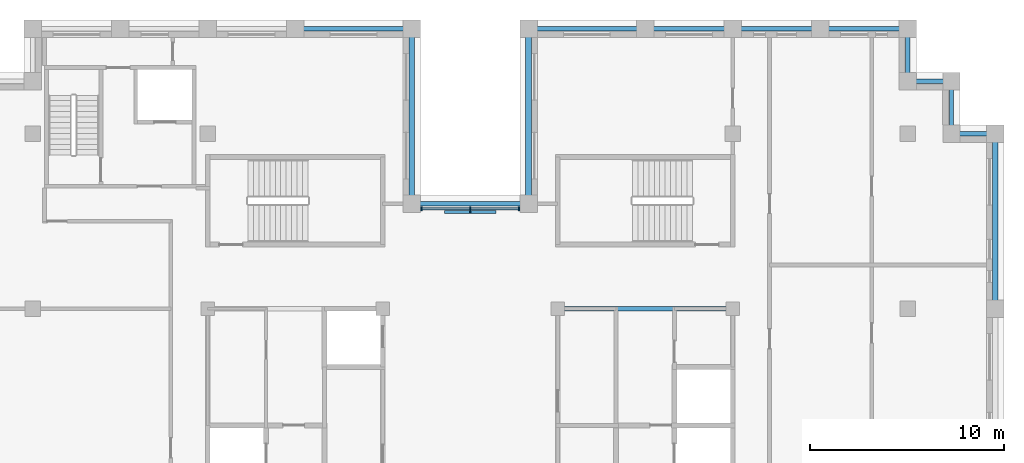
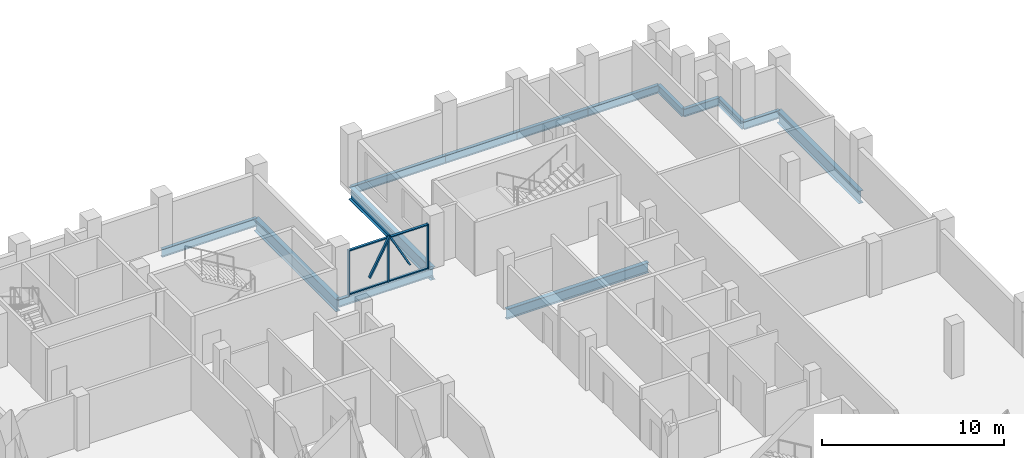
# One storey, part 4 of 13: 14 beams, 9 members, 1 element without a shape of its own.
"""IFC4 building model written with IfcOpenShell, lengths in metres."""

from ifc_helpers import new_model, si_unit, direction, frame, origin, origin_2d, place, context, subcontext, project, spatial, rectangle, i_section, extrude, material, layer, layer_set, material_profile, profile_set, type_object, element, aggregate, save


model = new_model("IFC4")

# Units and contexts
model_context = context("Model", 3, precision=1e-05, world=origin(), true_north=direction((0.0, 1.0)))
body_context = subcontext(model_context, "Body", "Model", "MODEL_VIEW")
ifc_project = project(units=[si_unit("LENGTHUNIT", "METRE"), si_unit("AREAUNIT", "SQUARE_METRE"), si_unit("VOLUMEUNIT", "CUBIC_METRE"), si_unit("PLANEANGLEUNIT", "RADIAN"), si_unit("MASSUNIT", "GRAM", prefix="KILO")], contexts=[model_context])

# Site, building, storey
site_placement = place(None, origin())
site = spatial("IfcSite", under=ifc_project, at=site_placement, CompositionType="ELEMENT")
building_placement = place(site_placement, origin())
building = spatial("IfcBuilding", under=site, at=building_placement, Name="Corbelhall Arena Tower", CompositionType="ELEMENT")
storey_placement = place(building_placement, frame((0.0, 0.0, 316.0)))
storey = spatial("IfcBuildingStorey", under=building, at=storey_placement, Name="L69", CompositionType="ELEMENT", Elevation=316.0)

# Curtain wall, members
ifc_material_1 = material(Name="Aluminium black anodised", Category="aluminium")
ifc_layer = layer(ifc_material_1, 0.199951171875)
ifc_layer_set = layer_set([ifc_layer], Name="EV-CW1 Slot back wall")
curtain_wall_type = type_object("IfcCurtainWallType", Name="EV-CW1 Slot back wall", PredefinedType="NOTDEFINED", material=ifc_layer_set)
curtain_wall_placement = place(storey_placement, origin())
curtain_wall = element("IfcCurtainWall", 1, at=curtain_wall_placement, inside=storey, type_object=curtain_wall_type, Name="Curtain wall CW1", PredefinedType="NOTDEFINED")
ifc_material_profile_1 = material_profile(ifc_material_1, rectangle(XDim=0.199951171875, YDim=0.074951171875, at=origin_2d()))
ifc_profile_set_1 = profile_set([ifc_material_profile_1], Name="Aluminium black anodised")
member_type_1 = type_object("IfcMemberType", Name="EV-CW1-MULLION", PredefinedType="MULLION", material=ifc_profile_set_1)
member_1_placement = place(storey_placement, frame((2.512451171875, 14.14990234375, 0.0), z_axis=(0.0, 0.0, 1.0), x_axis=(0.0, -1.0, 0.0)))
member_1 = element("IfcMember", 2, at=member_1_placement, type_object=member_type_1, Name="CW1 mullion 1", PredefinedType="MULLION", context=body_context, shape_type="SweptSolid", body=[
    extrude(rectangle(XDim=0.199951171875, YDim=0.074951171875, at=origin_2d()), origin(), (0.0, 0.0, 1.0), 2.989990234375),
])
member_2_placement = place(storey_placement, frame((0.0, 14.14990234375, 0.0), z_axis=(0.0, 0.0, 1.0), x_axis=(0.0, -1.0, 0.0)))
member_2 = element("IfcMember", 3, at=member_2_placement, type_object=member_type_1, Name="CW1 mullion 2", PredefinedType="MULLION", context=body_context, shape_type="SweptSolid", body=[
    extrude(rectangle(XDim=0.199951171875, YDim=0.074951171875, at=origin_2d()), origin(), (0.0, 0.0, 1.0), 2.989990234375),
])
member_3_placement = place(storey_placement, frame((-2.512451171875, 14.14990234375, 0.0), z_axis=(0.0, 0.0, 1.0), x_axis=(0.0, -1.0, 0.0)))
member_3 = element("IfcMember", 4, at=member_3_placement, type_object=member_type_1, Name="CW1 mullion 3", PredefinedType="MULLION", context=body_context, shape_type="SweptSolid", body=[
    extrude(rectangle(XDim=0.199951171875, YDim=0.074951171875, at=origin_2d()), origin(), (0.0, 0.0, 1.0), 2.989990234375),
])
ifc_material_profile_2 = material_profile(ifc_material_1, rectangle(XDim=0.14990234375, YDim=0.074951171875, at=origin_2d()))
ifc_profile_set_2 = profile_set([ifc_material_profile_2], Name="Aluminium black anodised")
member_type_2 = type_object("IfcMemberType", Name="EV-CW1-TRANSOM", PredefinedType="USERDEFINED", material=ifc_profile_set_2)
member_4_placement = place(storey_placement, frame((2.47509765625, 14.14990234375, 0.03759765625), z_axis=(-1.0, 0.0, 0.0), x_axis=(0.0, -1.0, 0.0)))
member_4 = element("IfcMember", 5, at=member_4_placement, type_object=member_type_2, Name="CW1 transom 1.1", ObjectType="transom", PredefinedType="USERDEFINED", context=body_context, shape_type="SweptSolid", body=[
    extrude(rectangle(XDim=0.14990234375, YDim=0.074951171875, at=origin_2d()), origin(), (0.0, 0.0, 1.0), 2.4375),
])
member_5_placement = place(storey_placement, frame((2.47509765625, 14.14990234375, 2.952392578125), z_axis=(-1.0, 0.0, 0.0), x_axis=(0.0, -1.0, 0.0)))
member_5 = element("IfcMember", 6, at=member_5_placement, type_object=member_type_2, Name="CW1 transom 1.2", ObjectType="transom", PredefinedType="USERDEFINED", context=body_context, shape_type="SweptSolid", body=[
    extrude(rectangle(XDim=0.14990234375, YDim=0.074951171875, at=origin_2d()), origin(), (0.0, 0.0, 1.0), 2.4375),
])
member_6_placement = place(storey_placement, frame((-0.03759765625, 14.14990234375, 0.03759765625), z_axis=(-1.0, 0.0, 0.0), x_axis=(0.0, -1.0, 0.0)))
member_6 = element("IfcMember", 7, at=member_6_placement, type_object=member_type_2, Name="CW1 transom 2.1", ObjectType="transom", PredefinedType="USERDEFINED", context=body_context, shape_type="SweptSolid", body=[
    extrude(rectangle(XDim=0.14990234375, YDim=0.074951171875, at=origin_2d()), origin(), (0.0, 0.0, 1.0), 2.4375),
])
member_7_placement = place(storey_placement, frame((-0.03759765625, 14.14990234375, 2.952392578125), z_axis=(-1.0, 0.0, 0.0), x_axis=(0.0, -1.0, 0.0)))
member_7 = element("IfcMember", 8, at=member_7_placement, type_object=member_type_2, Name="CW1 transom 2.2", ObjectType="transom", PredefinedType="USERDEFINED", context=body_context, shape_type="SweptSolid", body=[
    extrude(rectangle(XDim=0.14990234375, YDim=0.074951171875, at=origin_2d()), origin(), (0.0, 0.0, 1.0), 2.4375),
])
aggregate(curtain_wall, [member_1, member_2, member_3, member_4, member_5, member_6, member_7])

# Members
ifc_material_profile_3 = material_profile(ifc_material_1, rectangle(XDim=0.159912109375, YDim=0.10009765625, at=origin_2d()))
ifc_profile_set_3 = profile_set([ifc_material_profile_3], Name="Aluminium black anodised")
member_type_3 = type_object("IfcMemberType", Name="EV-TR1 Tracery bar", PredefinedType="USERDEFINED", material=ifc_profile_set_3)
for number, where, z_axis, x_axis, name in (
    (9, (1.27490234375, 13.969970703125, 0.807373046875), (-0.478030960994, 0.0, 0.878342985588), (0.0, -1.0, 0.0), "Tracery bar"),
    (10, (0.0, 13.969970703125, 3.14990234375), (-0.478030960994, 0.0, -0.878342985588), (0.0, -1.0, 0.0), "Tracery bar"),
):
    element("IfcMember", number, at=place(storey_placement, frame(where, z_axis=z_axis, x_axis=x_axis)), inside=storey, type_object=member_type_3, Name=name, ObjectType="TRACERY", PredefinedType="USERDEFINED", context=body_context, shape_type="SweptSolid", body=[
        extrude(rectangle(XDim=0.159912109375, YDim=0.10009765625, at=origin_2d()), origin(), (0.0, 0.0, 1.0), 2.6669921875),
    ])

# Beams
ifc_material_2 = material(Name="Steel ASTM A992 Gr50", Category="steel")
ifc_material_profile_4 = material_profile(ifc_material_2, i_section(OverallWidth=0.25390625, OverallDepth=0.67822265625, WebThickness=0.01171875, FlangeThickness=0.016357421875, at=origin_2d()))
ifc_profile_set_4 = profile_set([ifc_material_profile_4], Name="Steel ASTM A992 Gr50")
beam_type_1 = type_object("IfcBeamType", Name="ST-BEAM-W27x84", PredefinedType="BEAM", material=ifc_profile_set_4)
beam_1_placement = place(storey_placement, frame((4.5, 9.0, -0.59912109375), z_axis=(1.0, 0.0, 0.0), x_axis=(0.0, 1.0, 0.0)))
element("IfcBeam", 11, at=beam_1_placement, inside=storey, type_object=beam_type_1, Name="Beam CEE 12", PredefinedType="BEAM", context=body_context, shape_type="SweptSolid", body=[
    extrude(i_section(OverallWidth=0.25390625, OverallDepth=0.67822265625, WebThickness=0.01171875, FlangeThickness=0.016357421875, at=origin_2d()), origin(), (0.0, 0.0, 1.0), 9.0),
])
ifc_material_profile_5 = material_profile(ifc_material_2, i_section(OverallWidth=0.209228515625, OverallDepth=0.533447265625, WebThickness=0.01025390625, FlangeThickness=0.015625, at=origin_2d()))
ifc_profile_set_5 = profile_set([ifc_material_profile_5], Name="Steel ASTM A992 Gr50")
beam_type_2 = type_object("IfcBeamType", Name="ST-SPANDREL-W21x62", PredefinedType="SPANDREL", material=ifc_profile_set_5)
beam_2_placement = place(storey_placement, frame((3.0, 23.39990234375, -0.526611328125), z_axis=(1.0, 0.0, 0.0), x_axis=(0.0, 1.0, 0.0)))
element("IfcBeam", 12, at=beam_2_placement, inside=storey, type_object=beam_type_2, Name="Beam SP 6", PredefinedType="SPANDREL", context=body_context, shape_type="SweptSolid", body=[
    extrude(i_section(OverallWidth=0.209228515625, OverallDepth=0.533447265625, WebThickness=0.01025390625, FlangeThickness=0.015625, at=origin_2d()), origin(), (0.0, 0.0, 1.0), 6.0),
])
for number, where, z_axis, x_axis, name in (
    (13, (9.0, 23.39990234375, -0.526611328125), (1.0, 0.0, 0.0), (0.0, 1.0, 0.0), "Beam SP 7"),
    (14, (13.5, 23.39990234375, -0.526611328125), (1.0, 0.0, 0.0), (0.0, 1.0, 0.0), "Beam SP 8"),
    (15, (18.0, 23.39990234375, -0.526611328125), (1.0, 0.0, 0.0), (0.0, 1.0, 0.0), "Beam SP 9"),
):
    element("IfcBeam", number, at=place(storey_placement, frame(where, z_axis=z_axis, x_axis=x_axis)), inside=storey, type_object=beam_type_2, Name=name, PredefinedType="SPANDREL", context=body_context, shape_type="SweptSolid", body=[
        extrude(i_section(OverallWidth=0.209228515625, OverallDepth=0.533447265625, WebThickness=0.01025390625, FlangeThickness=0.015625, at=origin_2d()), origin(), (0.0, 0.0, 1.0), 4.5),
    ])
beam_3_placement = place(storey_placement, frame((22.5, 23.39990234375, -0.526611328125), z_axis=(0.0, -1.0, 0.0), x_axis=(1.0, 0.0, 0.0)))
element("IfcBeam", 16, at=beam_3_placement, inside=storey, type_object=beam_type_2, Name="Beam SP 10", PredefinedType="SPANDREL", context=body_context, shape_type="SweptSolid", body=[
    extrude(i_section(OverallWidth=0.209228515625, OverallDepth=0.533447265625, WebThickness=0.01025390625, FlangeThickness=0.015625, at=origin_2d()), origin(), (0.0, 0.0, 1.0), 2.699951171875),
])
for number, where, z_axis, x_axis, name in (
    (17, (-9.0, 23.39990234375, -0.526611328125), (1.0, 0.0, 0.0), (0.0, 1.0, 0.0), "Beam SP 12"),
    (18, (-3.0, 14.39990234375, -0.526611328125), (1.0, 0.0, 0.0), (0.0, 1.0, 0.0), "Beam SP 32"),
):
    element("IfcBeam", number, at=place(storey_placement, frame(where, z_axis=z_axis, x_axis=x_axis)), inside=storey, type_object=beam_type_2, Name=name, PredefinedType="SPANDREL", context=body_context, shape_type="SweptSolid", body=[
        extrude(i_section(OverallWidth=0.209228515625, OverallDepth=0.533447265625, WebThickness=0.01025390625, FlangeThickness=0.015625, at=origin_2d()), origin(), (0.0, 0.0, 1.0), 6.0),
    ])
beam_4_placement = place(storey_placement, frame((22.5, 20.699951171875, -0.526611328125), z_axis=(1.0, 0.0, 0.0), x_axis=(0.0, 1.0, 0.0)))
element("IfcBeam", 19, at=beam_4_placement, inside=storey, type_object=beam_type_2, Name="Beam SP 35", PredefinedType="SPANDREL", context=body_context, shape_type="SweptSolid", body=[
    extrude(i_section(OverallWidth=0.209228515625, OverallDepth=0.533447265625, WebThickness=0.01025390625, FlangeThickness=0.015625, at=origin_2d()), origin(), (0.0, 0.0, 1.0), 2.25),
])
beam_5_placement = place(storey_placement, frame((24.75, 20.699951171875, -0.526611328125), z_axis=(0.0, -1.0, 0.0), x_axis=(1.0, 0.0, 0.0)))
element("IfcBeam", 20, at=beam_5_placement, inside=storey, type_object=beam_type_2, Name="Beam SP 36", PredefinedType="SPANDREL", context=body_context, shape_type="SweptSolid", body=[
    extrude(i_section(OverallWidth=0.209228515625, OverallDepth=0.533447265625, WebThickness=0.01025390625, FlangeThickness=0.015625, at=origin_2d()), origin(), (0.0, 0.0, 1.0), 2.699951171875),
])
beam_6_placement = place(storey_placement, frame((24.75, 18.0, -0.526611328125), z_axis=(1.0, 0.0, 0.0), x_axis=(0.0, 1.0, 0.0)))
element("IfcBeam", 21, at=beam_6_placement, inside=storey, type_object=beam_type_2, Name="Beam SP 37", PredefinedType="SPANDREL", context=body_context, shape_type="SweptSolid", body=[
    extrude(i_section(OverallWidth=0.209228515625, OverallDepth=0.533447265625, WebThickness=0.01025390625, FlangeThickness=0.015625, at=origin_2d()), origin(), (0.0, 0.0, 1.0), 2.25),
])
ifc_material_profile_6 = material_profile(ifc_material_2, i_section(OverallWidth=0.2919921875, OverallDepth=0.845703125, WebThickness=0.015380859375, FlangeThickness=0.0244140625, at=origin_2d()))
ifc_profile_set_6 = profile_set([ifc_material_profile_6], Name="Steel ASTM A992 Gr50")
beam_type_3 = type_object("IfcBeamType", Name="ST-SPANDREL-W33x141", PredefinedType="SPANDREL", material=ifc_profile_set_6)
for number, where, z_axis, x_axis, name in (
    (22, (27.0, 18.0, -0.682861328125), (0.0, -1.0, 0.0), (1.0, 0.0, 0.0), "Beam SP 3"),
    (23, (-3.0, 23.39990234375, -0.682861328125), (0.0, -1.0, 0.0), (1.0, 0.0, 0.0), "Beam SP 11"),
    (24, (3.0, 14.39990234375, -0.682861328125), (0.0, 1.0, 0.0), (-1.0, 0.0, 0.0), "Beam SP 31"),
):
    element("IfcBeam", number, at=place(storey_placement, frame(where, z_axis=z_axis, x_axis=x_axis)), inside=storey, type_object=beam_type_3, Name=name, PredefinedType="SPANDREL", context=body_context, shape_type="SweptSolid", body=[
        extrude(i_section(OverallWidth=0.2919921875, OverallDepth=0.845703125, WebThickness=0.015380859375, FlangeThickness=0.0244140625, at=origin_2d()), origin(), (0.0, 0.0, 1.0), 9.0),
    ])

save(model, "model.ifc")
